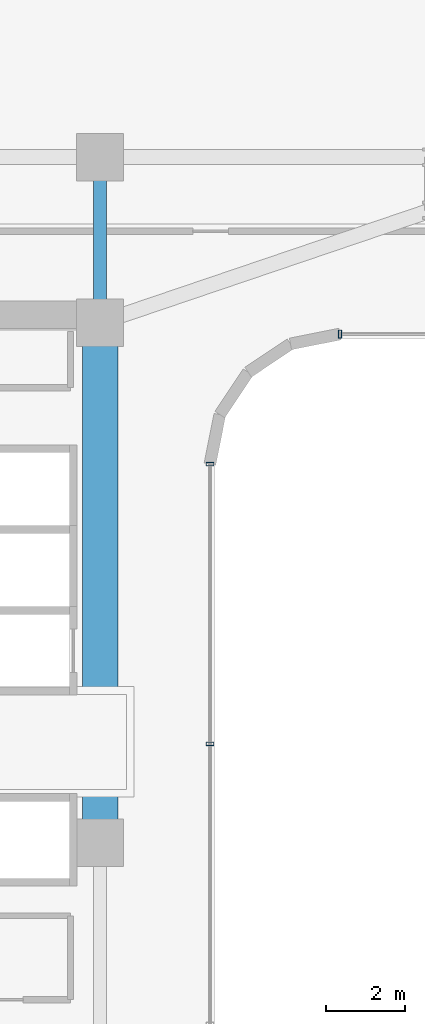
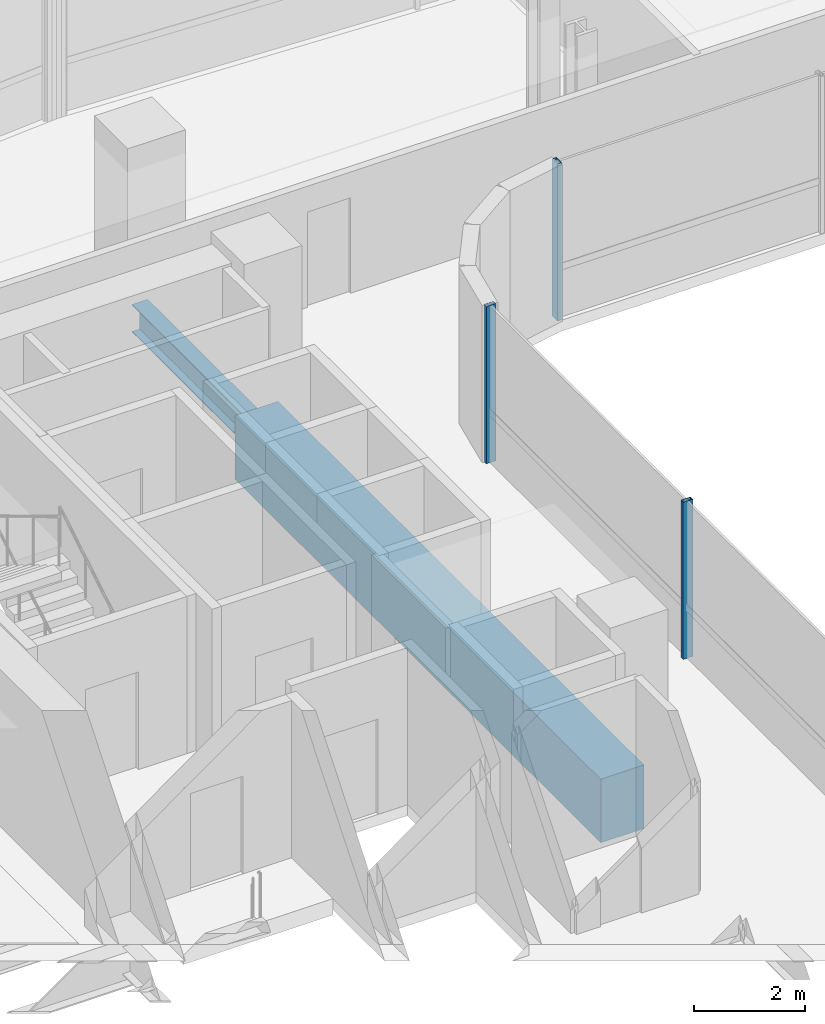
# One storey, part 9 of 34: 3 members, 2 beams, 2 elements without a shape of their own.
"""IFC4 building model written with IfcOpenShell, lengths in metres."""

from ifc_helpers import new_model, si_unit, direction, frame, origin, origin_2d, place, context, subcontext, project, spatial, rectangle, hollow_rectangle, i_section, extrude, source, transform, mapped, material, material_profile, profile_set, type_object, element, aggregate, save


model = new_model("IFC4")

# Units and contexts
model_context = context("Model", 3, precision=1e-05, world=origin(), true_north=direction((0.0, 1.0)))
body_context = subcontext(model_context, "Body", "Model", "MODEL_VIEW")
ifc_project = project(units=[si_unit("LENGTHUNIT", "METRE"), si_unit("AREAUNIT", "SQUARE_METRE"), si_unit("VOLUMEUNIT", "CUBIC_METRE"), si_unit("PLANEANGLEUNIT", "RADIAN"), si_unit("MASSUNIT", "GRAM", prefix="KILO")], contexts=[model_context])

# Site, building, storey
site_placement = place(None, origin())
site = spatial("IfcSite", under=ifc_project, at=site_placement, CompositionType="ELEMENT")
building_placement = place(site_placement, origin())
building = spatial("IfcBuilding", under=site, at=building_placement, Name="Valdorenza Pilgrim Sanctuary Tower", CompositionType="ELEMENT")
storey_placement = place(building_placement, frame((0.0, 0.0, 142.699951171875)))
storey = spatial("IfcBuildingStorey", under=building, at=storey_placement, Name="L36", CompositionType="ELEMENT", Elevation=142.699951171875)

# Beams
ifc_material_1 = material(Name="Concrete C60/75", Category="concrete")
ifc_material_profile_1 = material_profile(ifc_material_1, rectangle(XDim=0.89990234375, YDim=1.39990234375, at=origin_2d()), Name="RC 1400x900")
ifc_profile_set_1 = profile_set([ifc_material_profile_1], Name="Concrete C60/75")
beam_type_1 = type_object("IfcBeamType", Name="STR-BM-LNT-1400", PredefinedType="LINTEL", material=ifc_profile_set_1)
shared_shape_1 = source(origin(), body_context, "Body", "SweptSolid", [
    extrude(rectangle(XDim=0.89990234375, YDim=1.39990234375, at=origin_2d()), origin(), (0.0, 0.0, 1.0), 13.2001953125),
])
beam_1_placement = place(storey_placement, frame((-12.39990234375, -2.60009765625, -0.739990234375), z_axis=(0.0, 1.0, 0.0), x_axis=(-1.0, 0.0, 0.0)))
element("IfcBeam", 1, at=beam_1_placement, inside=storey, type_object=beam_type_1, Name="L36 Core A Coupling Lintel Girder", PredefinedType="LINTEL", context=body_context, shape_type="MappedRepresentation", body=[
    mapped(shared_shape_1, transform((0.0, 0.0, 0.0), x_axis=(1.0, 0.0, 0.0), y_axis=(0.0, 1.0, 0.0), z_axis=(0.0, 0.0, 1.0), scale=1.0)),
])
ifc_material_2 = material(Name="Steel ASTM A992 Grade 50", Category="steel")
ifc_material_profile_2 = material_profile(ifc_material_2, i_section(OverallWidth=0.323974609375, OverallDepth=0.611083984375, WebThickness=0.0126953125, FlangeThickness=0.01904296875, at=origin_2d()), Name="W24X104")
ifc_profile_set_2 = profile_set([ifc_material_profile_2], Name="Steel ASTM A992 Grade 50")
beam_type_2 = type_object("IfcBeamType", Name="STR-BM-GRD-W24B", PredefinedType="BEAM", material=ifc_profile_set_2)
shared_shape_2 = source(origin(), body_context, "Body", "SweptSolid", [
    extrude(i_section(OverallWidth=0.323974609375, OverallDepth=0.611083984375, WebThickness=0.0126953125, FlangeThickness=0.01904296875, at=origin_2d()), origin(), (0.0, 0.0, 1.0), 4.199951171875),
])
beam_2_placement = place(storey_placement, frame((-12.39990234375, 10.60009765625, -0.54541015625), z_axis=(0.0, 1.0, 0.0), x_axis=(-1.0, 0.0, 0.0)))
element("IfcBeam", 2, at=beam_2_placement, inside=storey, type_object=beam_type_2, Name="L36 Core Tie Girder CA-E-N1N2", PredefinedType="BEAM", context=body_context, shape_type="MappedRepresentation", body=[
    mapped(shared_shape_2, transform((0.0, 0.0, 0.0), x_axis=(1.0, 0.0, 0.0), y_axis=(0.0, 1.0, 0.0), z_axis=(0.0, 0.0, 1.0), scale=1.0)),
])

# Curtain wall, member
ifc_material_3 = material(Name="Curtain-wall IGU glazing", Category="glass")
curtain_wall_type = type_object("IfcCurtainWallType", Name="CW-SYS-02", PredefinedType="NOTDEFINED", material=ifc_material_3)
curtain_wall_1_placement = place(storey_placement, origin())
curtain_wall_1 = element("IfcCurtainWall", 3, at=curtain_wall_1_placement, inside=storey, type_object=curtain_wall_type, Name="L36 Curtain Wall CW-L36-1-36", PredefinedType="NOTDEFINED")
ifc_material_4 = material(Name="Anodised aluminium AW-6060", Category="aluminium")
ifc_material_profile_3 = material_profile(ifc_material_4, hollow_rectangle(XDim=0.0849609375, YDim=0.199951171875, WallThickness=0.0048828125, at=origin_2d()), Name="ALU-M 200x85x5")
ifc_profile_set_3 = profile_set([ifc_material_profile_3], Name="Anodised aluminium AW-6060")
member_type = type_object("IfcMemberType", Name="CW-MUL-02", PredefinedType="MULLION", material=ifc_profile_set_3)
shared_shape_3 = source(origin(), body_context, "Body", "SweptSolid", [
    extrude(hollow_rectangle(XDim=0.0849609375, YDim=0.199951171875, WallThickness=0.0048828125, at=origin_2d()), origin(), (0.0, 0.0, 1.0), 3.4599609375),
])
member_1_placement = place(storey_placement, frame((-6.310791015625, 10.31005859375, 0.0), z_axis=(0.0, 0.0, 1.0), x_axis=(-1.0, 0.0, 0.0)))
member_1 = element("IfcMember", 4, at=member_1_placement, type_object=member_type, Name="CW-L36-1-36 Mullion 4", PredefinedType="MULLION", context=body_context, shape_type="MappedRepresentation", body=[
    mapped(shared_shape_3, transform((0.0, 0.0, 0.0), x_axis=(1.0, 0.0, 0.0), y_axis=(0.0, 1.0, 0.0), z_axis=(0.0, 0.0, 1.0), scale=1.0)),
])
aggregate(curtain_wall_1, [member_1])

# Curtain wall, members
curtain_wall_2_placement = place(storey_placement, origin())
curtain_wall_2 = element("IfcCurtainWall", 5, at=curtain_wall_2_placement, inside=storey, type_object=curtain_wall_type, Name="L36 Curtain Wall CW-L36-1-41", PredefinedType="NOTDEFINED")
member_2_placement = place(storey_placement, frame((-9.610107421875, 7.0107421875, 0.0), z_axis=(0.0, 0.0, 1.0), x_axis=(0.0, -1.0, 0.0)))
member_2 = element("IfcMember", 6, at=member_2_placement, type_object=member_type, Name="CW-L36-1-41 Mullion 1", PredefinedType="MULLION", context=body_context, shape_type="MappedRepresentation", body=[
    mapped(shared_shape_3, transform((0.0, 0.0, 0.0), x_axis=(1.0, 0.0, 0.0), y_axis=(0.0, 1.0, 0.0), z_axis=(0.0, 0.0, 1.0), scale=1.0)),
])
member_3_placement = place(storey_placement, frame((-9.610107421875, -0.089111328125, 0.0), z_axis=(0.0, 0.0, 1.0), x_axis=(0.0, -1.0, 0.0)))
member_3 = element("IfcMember", 7, at=member_3_placement, type_object=member_type, Name="CW-L36-1-41 Mullion 2", PredefinedType="MULLION", context=body_context, shape_type="MappedRepresentation", body=[
    mapped(shared_shape_3, transform((0.0, 0.0, 0.0), x_axis=(1.0, 0.0, 0.0), y_axis=(0.0, 1.0, 0.0), z_axis=(0.0, 0.0, 1.0), scale=1.0)),
])
aggregate(curtain_wall_2, [member_2, member_3])

save(model, "model.ifc")
